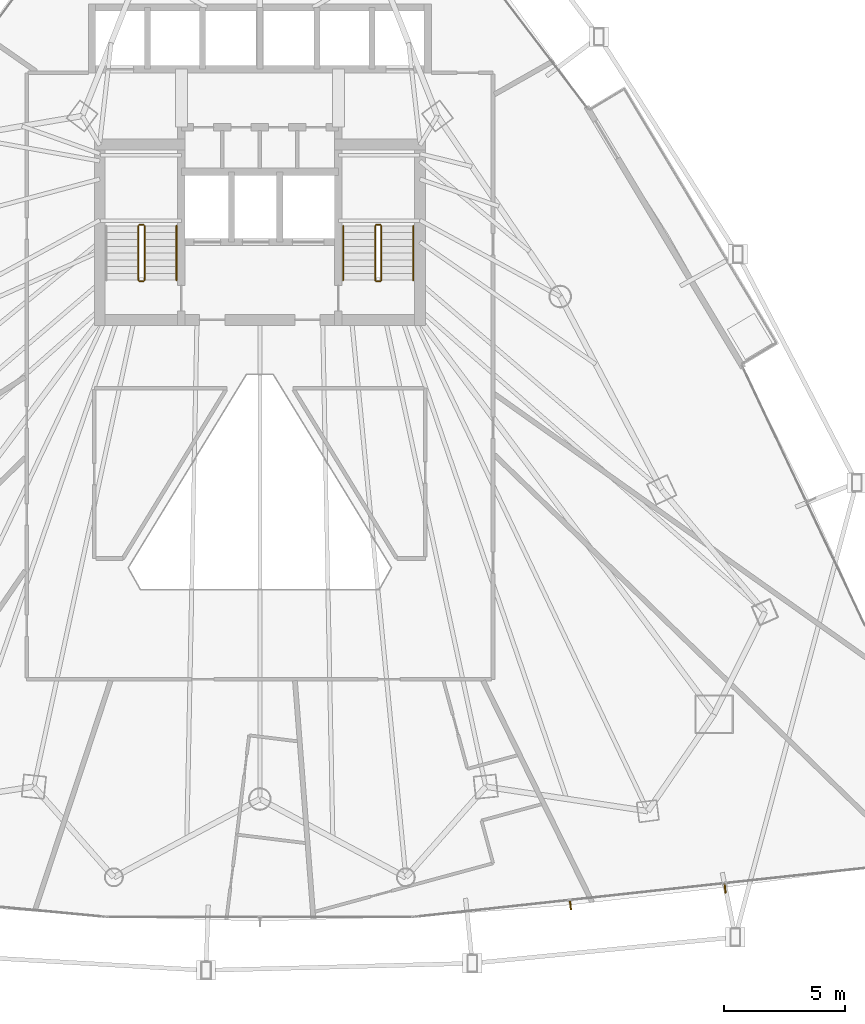
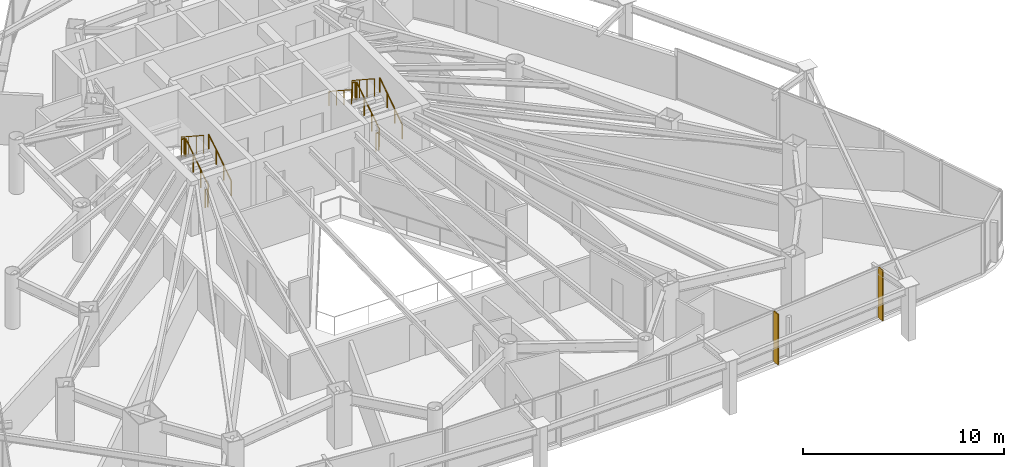
# One storey, part 32 of 33: 11 railings, 2 shading devices.
"""IFC4 building model written with IfcOpenShell, lengths in metres."""

from ifc_helpers import new_model, si_unit, direction, frame, origin, origin_2d, place, context, subcontext, project, spatial, rectangle, circle, extrude, material, layer, layer_set, type_object, element, save


model = new_model("IFC4")

# Units and contexts
model_context = context("Model", 3, precision=1e-05, world=origin(), true_north=direction((0.0, 1.0)))
body_context = subcontext(model_context, "Body", "Model", "MODEL_VIEW")
ifc_project = project(units=[si_unit("LENGTHUNIT", "METRE"), si_unit("AREAUNIT", "SQUARE_METRE"), si_unit("VOLUMEUNIT", "CUBIC_METRE"), si_unit("PLANEANGLEUNIT", "RADIAN"), si_unit("MASSUNIT", "GRAM", prefix="KILO")], contexts=[model_context])

# Site, building, storey
site_placement = place(None, origin())
site = spatial("IfcSite", under=ifc_project, at=site_placement, CompositionType="ELEMENT")
building_placement = place(site_placement, origin())
building = spatial("IfcBuilding", under=site, at=building_placement, Name="Orvanel Arch Residences", CompositionType="ELEMENT")
storey_placement = place(building_placement, frame((0.0, 0.0, 70.85009765625)))
storey = spatial("IfcBuildingStorey", under=building, at=storey_placement, Name="L19", CompositionType="ELEMENT", Elevation=70.85009765625)

# Shading devices
ifc_material_1 = material(Name="Bronze-anodised aluminium AA6063-T6", Category="aluminium")
ifc_layer = layer(ifc_material_1, 0.06005859375)
ifc_layer_set = layer_set([ifc_layer], Name="Bronze-anodised aluminium AA6063-T6")
shading_device_type = type_object("IfcShadingDeviceType", Name="FIN-BRZ-380", PredefinedType="USERDEFINED", material=ifc_layer_set)
for number, where, z_axis, x_axis, name in (
    (1, (45.85595703125, 2.446044921875, -0.000244140625), (0.0, 0.0, 1.0), (0.107999355706, -0.994150963972, 0.0), "L19 Anodised Bronze Mullion FIN 01"),
    (2, (52.256103515625, 3.139892578125, -0.000244140625), (0.0, 0.0, 1.0), (0.107999355706, -0.994150963972, 0.0), "L19 Anodised Bronze Mullion FIN 02"),
):
    element("IfcShadingDevice", number, at=place(storey_placement, frame(where, z_axis=z_axis, x_axis=x_axis)), inside=storey, type_object=shading_device_type, Name=name, ObjectType="FIN", PredefinedType="USERDEFINED", context=body_context, shape_type="SweptSolid", body=[
        extrude(rectangle(XDim=0.3798828125, YDim=0.06005859375, at=origin_2d()), origin(), (0.0, 0.0, 1.0), 3.06005859375),
    ])

# Railings
ifc_material_2 = material(Name="Structural steel AS/NZS 1163 C350L0 (Grade 350)", Category="steel")
railing_type_1 = type_object("IfcRailingType", Name="RL-STAIR-GUARD", PredefinedType="GUARDRAIL", material=ifc_material_2)
railing_1_placement = place(storey_placement, frame((28.22998046875, 28.320068359375, 0.183349609375)))
element("IfcRailing", 3, at=railing_1_placement, inside=storey, type_object=railing_type_1, Name="L19 ST-1 stair guard 1", PredefinedType="GUARDRAIL", context=body_context, shape_type="SweptSolid", body=[
    extrude(circle(Radius=0.02392578125, at=origin_2d()), frame((0.0, 0.001220703125, 1.076904296875), z_axis=(0.0, 0.836636935527, 0.547757827979), x_axis=(-1.0, 0.0, 0.0)), (0.0, 0.0, 1.0), 2.67431640625),
    extrude(circle(Radius=0.02099609375, at=origin_2d()), origin(), (0.0, 0.0, 1.0), 1.050048828125),
    extrude(circle(Radius=0.02099609375, at=origin_2d()), frame((0.0, 0.74658203125, 0.48876953125)), (0.0, 0.0, 1.0), 1.050048828125),
    extrude(circle(Radius=0.02099609375, at=origin_2d()), frame((0.0, 1.493408203125, 0.977783203125)), (0.0, 0.0, 1.0), 1.050048828125),
    extrude(circle(Radius=0.02099609375, at=origin_2d()), frame((0.0, 2.239990234375, 1.466552734375)), (0.0, 0.0, 1.0), 1.050048828125),
])
railing_2_placement = place(storey_placement, frame((28.179931640625, 30.610107421875, 1.64990234375)))
element("IfcRailing", 4, at=railing_2_placement, inside=storey, type_object=railing_type_1, Name="L19 ST-1 stair guard 2", PredefinedType="GUARDRAIL", context=body_context, shape_type="SweptSolid", body=[
    extrude(circle(Radius=0.02392578125, at=origin_2d()), frame((-0.00146484375, 0.0, 1.076171875), z_axis=(-1.0, 0.0, 0.0), x_axis=(0.0, -1.0, 0.0)), (0.0, 0.0, 1.0), 0.156982421875),
    extrude(circle(Radius=0.02099609375, at=origin_2d()), origin(), (0.0, 0.0, 1.0), 1.050048828125),
    extrude(circle(Radius=0.02099609375, at=origin_2d()), frame((-0.159912109375, 0.0, 0.0)), (0.0, 0.0, 1.0), 1.050048828125),
])
railing_3_placement = place(storey_placement, frame((27.969970703125, 30.56005859375, 1.833251953125)))
element("IfcRailing", 5, at=railing_3_placement, inside=storey, type_object=railing_type_1, Name="L19 ST-1 stair guard 3", PredefinedType="GUARDRAIL", context=body_context, shape_type="SweptSolid", body=[
    extrude(circle(Radius=0.02392578125, at=origin_2d()), frame((0.0, -0.001220703125, 1.076904296875), z_axis=(0.0, -0.836636935527, 0.547757827979), x_axis=(1.0, 0.0, 0.0)), (0.0, 0.0, 1.0), 2.67431640625),
    extrude(circle(Radius=0.02099609375, at=origin_2d()), origin(), (0.0, 0.0, 1.0), 1.050048828125),
    extrude(circle(Radius=0.02099609375, at=origin_2d()), frame((0.0, -0.74658203125, 0.48876953125)), (0.0, 0.0, 1.0), 1.050048828125),
    extrude(circle(Radius=0.02099609375, at=origin_2d()), frame((0.0, -1.493408203125, 0.977783203125)), (0.0, 0.0, 1.0), 1.050048828125),
    extrude(circle(Radius=0.02099609375, at=origin_2d()), frame((0.0, -2.239990234375, 1.466552734375)), (0.0, 0.0, 1.0), 1.050048828125),
])
railing_4_placement = place(storey_placement, frame((28.179931640625, 28.27001953125, 0.0)))
element("IfcRailing", 6, at=railing_4_placement, inside=storey, type_object=railing_type_1, Name="L19 ST-1 stair guard 4", PredefinedType="GUARDRAIL", context=body_context, shape_type="SweptSolid", body=[
    extrude(circle(Radius=0.02392578125, at=origin_2d()), frame((-0.00146484375, 0.0, 1.076171875), z_axis=(-1.0, 0.0, 0.0), x_axis=(0.0, -1.0, 0.0)), (0.0, 0.0, 1.0), 0.156982421875),
    extrude(circle(Radius=0.02099609375, at=origin_2d()), origin(), (0.0, 0.0, 1.0), 1.050048828125),
    extrude(circle(Radius=0.02099609375, at=origin_2d()), frame((-0.159912109375, 0.0, 0.0)), (0.0, 0.0, 1.0), 1.050048828125),
])
railing_5_placement = place(storey_placement, frame((38.030029296875, 28.320068359375, 0.183349609375)))
element("IfcRailing", 7, at=railing_5_placement, inside=storey, type_object=railing_type_1, Name="L19 ST-2 stair guard 1", PredefinedType="GUARDRAIL", context=body_context, shape_type="SweptSolid", body=[
    extrude(circle(Radius=0.02392578125, at=origin_2d()), frame((0.0, 0.001220703125, 1.076904296875), z_axis=(0.0, 0.836636935527, 0.547757827979), x_axis=(-1.0, 0.0, 0.0)), (0.0, 0.0, 1.0), 2.67431640625),
    extrude(circle(Radius=0.02099609375, at=origin_2d()), origin(), (0.0, 0.0, 1.0), 1.050048828125),
    extrude(circle(Radius=0.02099609375, at=origin_2d()), frame((0.0, 0.74658203125, 0.48876953125)), (0.0, 0.0, 1.0), 1.050048828125),
    extrude(circle(Radius=0.02099609375, at=origin_2d()), frame((0.0, 1.493408203125, 0.977783203125)), (0.0, 0.0, 1.0), 1.050048828125),
    extrude(circle(Radius=0.02099609375, at=origin_2d()), frame((0.0, 2.239990234375, 1.466552734375)), (0.0, 0.0, 1.0), 1.050048828125),
])
railing_6_placement = place(storey_placement, frame((37.97998046875, 30.610107421875, 1.64990234375)))
element("IfcRailing", 8, at=railing_6_placement, inside=storey, type_object=railing_type_1, Name="L19 ST-2 stair guard 2", PredefinedType="GUARDRAIL", context=body_context, shape_type="SweptSolid", body=[
    extrude(circle(Radius=0.02392578125, at=origin_2d()), frame((-0.00146484375, 0.0, 1.076171875), z_axis=(-1.0, 0.0, 0.0), x_axis=(0.0, -1.0, 0.0)), (0.0, 0.0, 1.0), 0.156982421875),
    extrude(circle(Radius=0.02099609375, at=origin_2d()), origin(), (0.0, 0.0, 1.0), 1.050048828125),
    extrude(circle(Radius=0.02099609375, at=origin_2d()), frame((-0.159912109375, 0.0, 0.0)), (0.0, 0.0, 1.0), 1.050048828125),
])
railing_7_placement = place(storey_placement, frame((37.77001953125, 30.56005859375, 1.833251953125)))
element("IfcRailing", 9, at=railing_7_placement, inside=storey, type_object=railing_type_1, Name="L19 ST-2 stair guard 3", PredefinedType="GUARDRAIL", context=body_context, shape_type="SweptSolid", body=[
    extrude(circle(Radius=0.02392578125, at=origin_2d()), frame((0.0, -0.001220703125, 1.076904296875), z_axis=(0.0, -0.836636935527, 0.547757827979), x_axis=(1.0, 0.0, 0.0)), (0.0, 0.0, 1.0), 2.67431640625),
    extrude(circle(Radius=0.02099609375, at=origin_2d()), origin(), (0.0, 0.0, 1.0), 1.050048828125),
    extrude(circle(Radius=0.02099609375, at=origin_2d()), frame((0.0, -0.74658203125, 0.48876953125)), (0.0, 0.0, 1.0), 1.050048828125),
    extrude(circle(Radius=0.02099609375, at=origin_2d()), frame((0.0, -1.493408203125, 0.977783203125)), (0.0, 0.0, 1.0), 1.050048828125),
    extrude(circle(Radius=0.02099609375, at=origin_2d()), frame((0.0, -2.239990234375, 1.466552734375)), (0.0, 0.0, 1.0), 1.050048828125),
])
railing_8_placement = place(storey_placement, frame((37.97998046875, 28.27001953125, 0.0)))
element("IfcRailing", 10, at=railing_8_placement, inside=storey, type_object=railing_type_1, Name="L19 ST-2 stair guard 4", PredefinedType="GUARDRAIL", context=body_context, shape_type="SweptSolid", body=[
    extrude(circle(Radius=0.02392578125, at=origin_2d()), frame((-0.00146484375, 0.0, 1.076171875), z_axis=(-1.0, 0.0, 0.0), x_axis=(0.0, -1.0, 0.0)), (0.0, 0.0, 1.0), 0.156982421875),
    extrude(circle(Radius=0.02099609375, at=origin_2d()), origin(), (0.0, 0.0, 1.0), 1.050048828125),
    extrude(circle(Radius=0.02099609375, at=origin_2d()), frame((-0.159912109375, 0.0, 0.0)), (0.0, 0.0, 1.0), 1.050048828125),
])
railing_type_2 = type_object("IfcRailingType", Name="RL-STAIR-HAND", PredefinedType="HANDRAIL", material=ifc_material_2)
for number, where, name in (
    (11, (29.550048828125, 28.320068359375, 0.183349609375), "L19 ST-1 stair handrail 1"),
    (12, (39.35009765625, 28.320068359375, 0.183349609375), "L19 ST-2 stair handrail 1"),
):
    element("IfcRailing", number, at=place(storey_placement, frame(where)), inside=storey, type_object=railing_type_2, Name=name, PredefinedType="HANDRAIL", context=body_context, shape_type="SweptSolid", body=[
        extrude(circle(Radius=0.02392578125, at=origin_2d()), frame((0.0, 0.001220703125, 0.876708984375), z_axis=(0.0, 0.836636935527, 0.547757827979), x_axis=(-1.0, 0.0, 0.0)), (0.0, 0.0, 1.0), 2.67431640625),
        extrude(circle(Radius=0.02099609375, at=origin_2d()), origin(), (0.0, 0.0, 1.0), 0.849853515625),
        extrude(circle(Radius=0.02099609375, at=origin_2d()), frame((0.0, 0.74658203125, 0.48876953125)), (0.0, 0.0, 1.0), 0.849853515625),
        extrude(circle(Radius=0.02099609375, at=origin_2d()), frame((0.0, 1.493408203125, 0.977783203125)), (0.0, 0.0, 1.0), 0.849853515625),
        extrude(circle(Radius=0.02099609375, at=origin_2d()), frame((0.0, 2.239990234375, 1.466552734375)), (0.0, 0.0, 1.0), 0.849853515625),
    ])
railing_9_placement = place(storey_placement, frame((36.449951171875, 30.56005859375, 1.833251953125)))
element("IfcRailing", 13, at=railing_9_placement, inside=storey, type_object=railing_type_2, Name="L19 ST-2 stair handrail 2", PredefinedType="HANDRAIL", context=body_context, shape_type="SweptSolid", body=[
    extrude(circle(Radius=0.02392578125, at=origin_2d()), frame((0.0, -0.001220703125, 0.876708984375), z_axis=(0.0, -0.836636935527, 0.547757827979), x_axis=(1.0, 0.0, 0.0)), (0.0, 0.0, 1.0), 2.67431640625),
    extrude(circle(Radius=0.02099609375, at=origin_2d()), origin(), (0.0, 0.0, 1.0), 0.849853515625),
    extrude(circle(Radius=0.02099609375, at=origin_2d()), frame((0.0, -0.74658203125, 0.48876953125)), (0.0, 0.0, 1.0), 0.849853515625),
    extrude(circle(Radius=0.02099609375, at=origin_2d()), frame((0.0, -1.493408203125, 0.977783203125)), (0.0, 0.0, 1.0), 0.849853515625),
    extrude(circle(Radius=0.02099609375, at=origin_2d()), frame((0.0, -2.239990234375, 1.466552734375)), (0.0, 0.0, 1.0), 0.849853515625),
])

save(model, "model.ifc")
